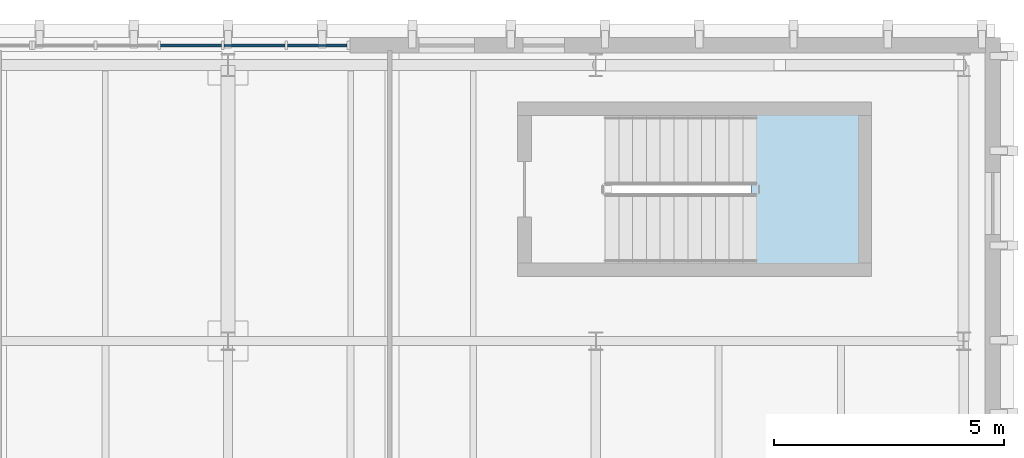
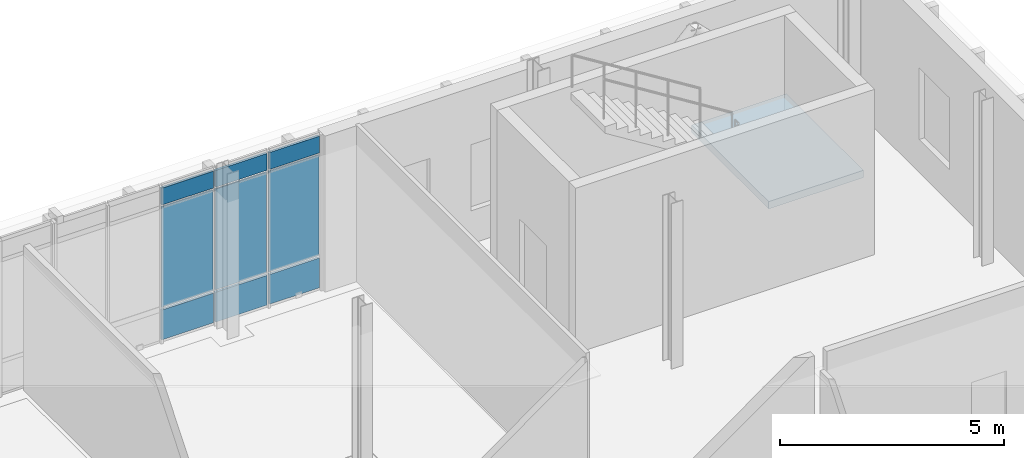
# One storey, part 57 of 100: 9 plates, 1 slab, 2 elements without a shape of their own.
"""IFC4 building model written with IfcOpenShell, lengths in metres."""

from ifc_helpers import new_model, si_unit, direction, frame, origin, origin_2d, place, context, subcontext, project, spatial, polyline, rectangle, outline, extrude, material, layer, layer_set, type_object, element, aggregate, save


model = new_model("IFC4")

# Units and contexts
model_context = context("Model", 3, precision=1e-05, world=origin(), true_north=direction((0.0, 1.0)))
body_context = subcontext(model_context, "Body", "Model", "MODEL_VIEW")
ifc_project = project(units=[si_unit("LENGTHUNIT", "METRE"), si_unit("AREAUNIT", "SQUARE_METRE"), si_unit("VOLUMEUNIT", "CUBIC_METRE"), si_unit("PLANEANGLEUNIT", "RADIAN"), si_unit("MASSUNIT", "GRAM", prefix="KILO")], contexts=[model_context])

# Site, building, storey
site_placement = place(None, origin())
site = spatial("IfcSite", under=ifc_project, at=site_placement, CompositionType="ELEMENT")
building_placement = place(site_placement, origin())
building = spatial("IfcBuilding", under=site, at=building_placement, Name="Cymarion Research Institute", CompositionType="ELEMENT")
storey_placement = place(building_placement, frame((0.0, 0.0, 4.800048828125)))
storey = spatial("IfcBuildingStorey", under=building, at=storey_placement, Name="L01", CompositionType="ELEMENT", Elevation=4.800048828125)

# Curtain wall, plates
ifc_material_1 = material(Name="Anodised aluminium unitised curtain wall with Low-E glazing", Category="aluminium")
curtain_wall_type = type_object("IfcCurtainWallType", Name="UNITISED CURTAIN WALL CW23 6910X4250", PredefinedType="NOTDEFINED", material=ifc_material_1)
curtain_wall_placement = place(storey_placement, origin())
curtain_wall = element("IfcCurtainWall", 1, at=curtain_wall_placement, inside=storey, type_object=curtain_wall_type, Name="L01 V5 unitised curtain wall CW23 #49", PredefinedType="NOTDEFINED")
ifc_material_2 = material(Name="Insulated anodised aluminium spandrel panel", Category="aluminium")
ifc_layer_1 = layer(ifc_material_2, 0.06005859375)
ifc_layer_set_1 = layer_set([ifc_layer_1], Name="Insulated anodised aluminium spandrel panel")
plate_type_1 = type_object("IfcPlateType", Name="INSULATED ALUMINIUM SPANDREL PANEL SP01 60MM", PredefinedType="SHEET", material=ifc_layer_set_1)
plate_1_placement = place(storey_placement, frame((32.545654296875, 115.929931640625, 0.059814453125), z_axis=(0.0, 0.0, 1.0), x_axis=(-1.0, 0.0, 0.0)))
plate_1 = element("IfcPlate", 2, at=plate_1_placement, type_object=plate_type_1, Name="CW23 panel 1.1", PredefinedType="SHEET", context=body_context, shape_type="SweptSolid", body=[
    extrude(rectangle(XDim=1.29248046875, YDim=0.06005859375, at=origin_2d()), origin(), (0.0, 0.0, 1.0), 0.81005859375),
])
plate_2_placement = place(storey_placement, frame((32.545654296875, 115.929931640625, 3.72998046875), z_axis=(0.0, 0.0, 1.0), x_axis=(-1.0, 0.0, 0.0)))
plate_2 = element("IfcPlate", 3, at=plate_2_placement, type_object=plate_type_1, Name="CW23 panel 1.3", PredefinedType="SHEET", context=body_context, shape_type="SweptSolid", body=[
    extrude(rectangle(XDim=1.29248046875, YDim=0.06005859375, at=origin_2d()), origin(), (0.0, 0.0, 1.0), 0.4599609375),
])
plate_3_placement = place(storey_placement, frame((31.177978515625, 115.929931640625, 0.059814453125), z_axis=(0.0, 0.0, 1.0), x_axis=(-1.0, 0.0, 0.0)))
plate_3 = element("IfcPlate", 4, at=plate_3_placement, type_object=plate_type_1, Name="CW23 panel 2.1", PredefinedType="SHEET", context=body_context, shape_type="SweptSolid", body=[
    extrude(rectangle(XDim=1.322509765625, YDim=0.06005859375, at=origin_2d()), origin(), (0.0, 0.0, 1.0), 0.81005859375),
])
plate_4_placement = place(storey_placement, frame((31.177978515625, 115.929931640625, 3.72998046875), z_axis=(0.0, 0.0, 1.0), x_axis=(-1.0, 0.0, 0.0)))
plate_4 = element("IfcPlate", 5, at=plate_4_placement, type_object=plate_type_1, Name="CW23 panel 2.3", PredefinedType="SHEET", context=body_context, shape_type="SweptSolid", body=[
    extrude(rectangle(XDim=1.322509765625, YDim=0.06005859375, at=origin_2d()), origin(), (0.0, 0.0, 1.0), 0.4599609375),
])
plate_5_placement = place(storey_placement, frame((29.79541015625, 115.929931640625, 0.059814453125), z_axis=(0.0, 0.0, 1.0), x_axis=(-1.0, 0.0, 0.0)))
plate_5 = element("IfcPlate", 6, at=plate_5_placement, type_object=plate_type_1, Name="CW23 panel 3.1", PredefinedType="SHEET", context=body_context, shape_type="SweptSolid", body=[
    extrude(rectangle(XDim=1.322509765625, YDim=0.06005859375, at=origin_2d()), origin(), (0.0, 0.0, 1.0), 0.81005859375),
])
plate_6_placement = place(storey_placement, frame((29.79541015625, 115.929931640625, 3.72998046875), z_axis=(0.0, 0.0, 1.0), x_axis=(-1.0, 0.0, 0.0)))
plate_6 = element("IfcPlate", 7, at=plate_6_placement, type_object=plate_type_1, Name="CW23 panel 3.3", PredefinedType="SHEET", context=body_context, shape_type="SweptSolid", body=[
    extrude(rectangle(XDim=1.322509765625, YDim=0.06005859375, at=origin_2d()), origin(), (0.0, 0.0, 1.0), 0.4599609375),
])

# Stair, slab
ifc_material_3 = material(Name="Concrete C35/45", Category="concrete")
stair_type = type_object("IfcStairType", Name="REINFORCED CONCRETE DOGLEG STAIR STR-4500", PredefinedType="HALF_TURN_STAIR", material=ifc_material_3)
stair_placement = place(storey_placement, origin())
stair = element("IfcStair", 8, at=stair_placement, inside=storey, type_object=stair_type, Name="L01 Core C10 Smoke-Proof Exit Stair ST10", PredefinedType="HALF_TURN_STAIR")
ifc_layer_2 = layer(ifc_material_3, 0.199951171875)
ifc_layer_set_2 = layer_set([ifc_layer_2], Name="Concrete C35/45")
slab_type = type_object("IfcSlabType", Name="REINFORCED CONCRETE STAIR LANDING LDG200", PredefinedType="LANDING", material=ifc_layer_set_2)
slab_placement = place(storey_placement, frame((0.0, 0.0, 2.050048828125)))
slab = element("IfcSlab", 9, at=slab_placement, type_object=slab_type, Name="ST10 landing 1", PredefinedType="LANDING", context=body_context, shape_type="SweptSolid", body=[
    extrude(outline(polyline([(41.97998046875, 111.080078125), (41.97998046875, 114.52001953125), (44.419921875, 114.52001953125), (44.419921875, 111.080078125), (41.97998046875, 111.080078125)])), origin(), (0.0, 0.0, 1.0), 0.199951171875),
])
aggregate(stair, [slab])

# Plate
ifc_material_4 = material(Name="Low-E double solar-control glazing", Category="glass")
ifc_layer_3 = layer(ifc_material_4, 0.035888671875)
ifc_layer_set_3 = layer_set([ifc_layer_3], Name="Low-E double solar-control glazing")
plate_type_2 = type_object("IfcPlateType", Name="SOLAR CONTROL GLAZED VISION PANEL GP01 36MM", PredefinedType="CURTAIN_PANEL", material=ifc_layer_set_3)
plate_7_placement = place(storey_placement, frame((32.545654296875, 115.929931640625, 0.93017578125), z_axis=(0.0, 0.0, 1.0), x_axis=(-1.0, 0.0, 0.0)))
plate_7 = element("IfcPlate", 10, at=plate_7_placement, type_object=plate_type_2, Name="CW23 panel 1.2", PredefinedType="CURTAIN_PANEL", context=body_context, shape_type="SweptSolid", body=[
    extrude(rectangle(XDim=1.29248046875, YDim=0.035888671875, at=origin_2d()), origin(), (0.0, 0.0, 1.0), 2.739990234375),
])

plate_8_placement = place(storey_placement, frame((31.177978515625, 115.929931640625, 0.93017578125), z_axis=(0.0, 0.0, 1.0), x_axis=(-1.0, 0.0, 0.0)))
plate_8 = element("IfcPlate", 11, at=plate_8_placement, type_object=plate_type_2, Name="CW23 panel 2.2", PredefinedType="CURTAIN_PANEL", context=body_context, shape_type="SweptSolid", body=[
    extrude(rectangle(XDim=1.322509765625, YDim=0.035888671875, at=origin_2d()), origin(), (0.0, 0.0, 1.0), 2.739990234375),
])

plate_9_placement = place(storey_placement, frame((29.79541015625, 115.929931640625, 0.93017578125), z_axis=(0.0, 0.0, 1.0), x_axis=(-1.0, 0.0, 0.0)))
plate_9 = element("IfcPlate", 12, at=plate_9_placement, type_object=plate_type_2, Name="CW23 panel 3.2", PredefinedType="CURTAIN_PANEL", context=body_context, shape_type="SweptSolid", body=[
    extrude(rectangle(XDim=1.322509765625, YDim=0.035888671875, at=origin_2d()), origin(), (0.0, 0.0, 1.0), 2.739990234375),
])

aggregate(curtain_wall, [plate_1, plate_7, plate_2, plate_3, plate_8, plate_4, plate_5, plate_9, plate_6])

save(model, "model.ifc")
